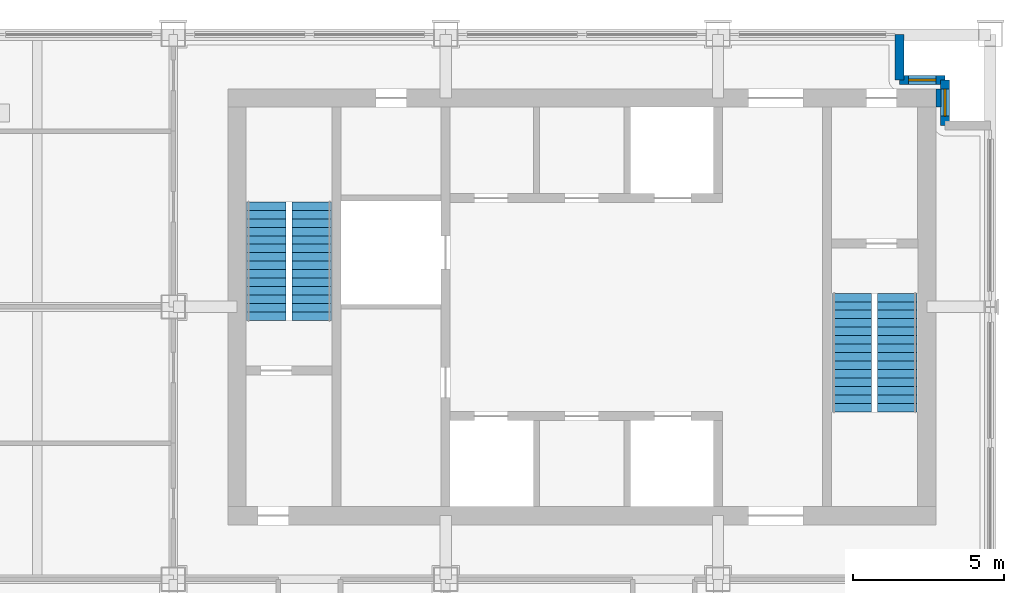
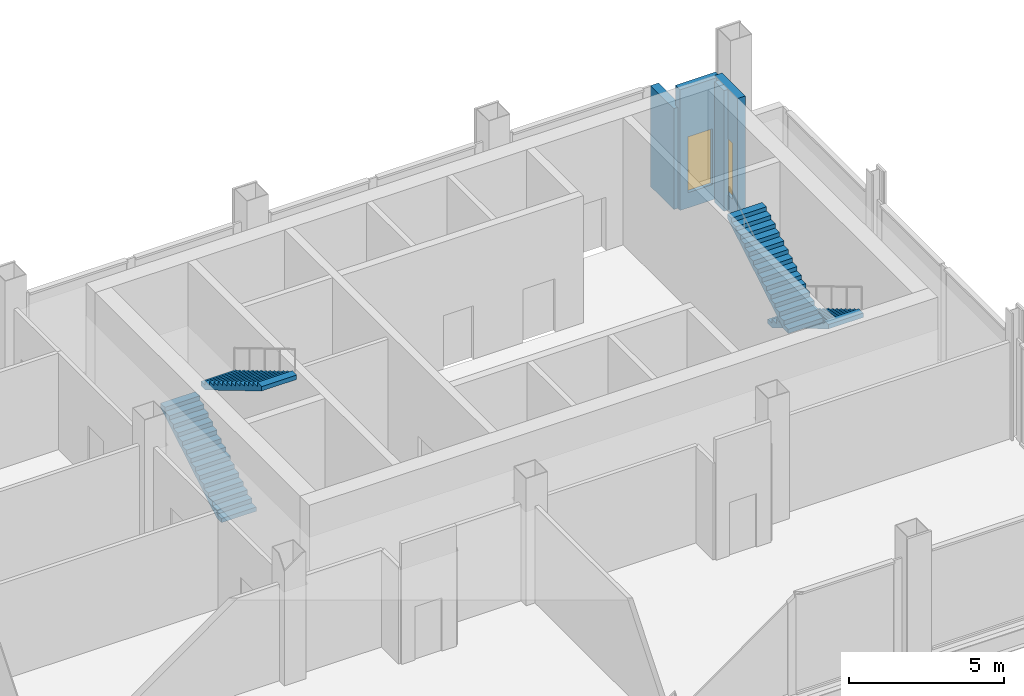
# One storey, part 5 of 7: 4 stair flights, 4 walls, 2 windows, 2 openings, 2 elements without a shape of their own.
"""IFC4 building model written with IfcOpenShell, lengths in metres."""

from ifc_helpers import new_model, si_unit, direction, frame, frame_2d, origin, place, context, subcontext, project, spatial, polyline, rectangle, outline, extrude, material, layer, layer_set, type_object, element, fill, aggregate, save


model = new_model("IFC4")

# Units and contexts
model_context = context("Model", 3, precision=1e-05, world=origin(), true_north=direction((0.0, 1.0)))
body_context = subcontext(model_context, "Body", "Model", "MODEL_VIEW")
ifc_project = project(units=[si_unit("LENGTHUNIT", "METRE"), si_unit("AREAUNIT", "SQUARE_METRE"), si_unit("VOLUMEUNIT", "CUBIC_METRE"), si_unit("PLANEANGLEUNIT", "RADIAN"), si_unit("MASSUNIT", "GRAM", prefix="KILO")], contexts=[model_context])

# Site, building, storey
site_placement = place(None, origin())
site = spatial("IfcSite", under=ifc_project, at=site_placement, CompositionType="ELEMENT")
building_placement = place(site_placement, origin())
building = spatial("IfcBuilding", under=site, at=building_placement, Name="Loomwork Tower", CompositionType="ELEMENT")
storey_placement = place(building_placement, frame((0.0, 0.0, 269.800048828125)))
storey = spatial("IfcBuildingStorey", under=building, at=storey_placement, Name="L74", CompositionType="ELEMENT", Elevation=269.800048828125)

# Wall, opening, window
ifc_material_1 = material(Name="Limestone on concrete masonry", Category="masonry")
ifc_layer_1 = layer(ifc_material_1, 0.300048828125)
ifc_layer_set_1 = layer_set([ifc_layer_1], Name="Limestone corner wall 300")
wall_type_1 = type_object("IfcWallType", Name="Limestone corner wall 300", PredefinedType="SOLIDWALL", material=ifc_layer_set_1)
wall_1_placement = place(storey_placement, frame((34.5, 24.0, 0.0), z_axis=(0.0, 0.0, 1.0), x_axis=(0.0, 1.0, 0.0)))
wall_1 = element("IfcWall", 1, at=wall_1_placement, inside=storey, type_object=wall_type_1, Name="Stone corner wall NE 2", PredefinedType="SOLIDWALL", context=body_context, shape_type="SweptSolid", body=[
    extrude(rectangle(XDim=1.5, YDim=0.300048828125, at=frame_2d((0.75, 0.0))), origin(), (0.0, 0.0, 1.0), 4.75),
])
opening_1_placement = place(wall_1_placement, frame((0.300048828125, 0.0, 0.60009765625)))
opening_1 = element("IfcOpeningElement", 2, at=opening_1_placement, cuts=wall_1, Name="Opening CH2", PredefinedType="OPENING", context=body_context, shape_type="SweptSolid", body=[
    extrude(rectangle(XDim=0.89990234375, YDim=2.199951171875, at=frame_2d((0.449951171875, 1.10009765625))), frame((0.0, 0.159912109375, 0.0), z_axis=(0.0, -1.0, 0.0), x_axis=(1.0, 0.0, 0.0)), (0.0, 0.0, 1.0), 0.320068359375),
])
ifc_material_2 = material(Name="Aluminium frame with clear insulated glass", Category="aluminium")
window_type = type_object("IfcWindowType", Name="Corner window 900", PartitioningType="SINGLE_PANEL", PredefinedType="WINDOW", material=ifc_material_2)
window_1_placement = place(opening_1_placement, origin())
window_1 = element("IfcWindow", 3, at=window_1_placement, inside=storey, type_object=window_type, Name="Corner window NE", OverallHeight=2.199951171875, OverallWidth=0.89990234375, PartitioningType="SINGLE_PANEL", PredefinedType="WINDOW", context=body_context, shape_type="SweptSolid", body=[
    extrude(rectangle(XDim=0.89990234375, YDim=2.199951171875, at=frame_2d((0.449951171875, 1.10009765625))), frame((0.0, 0.030029296875, 0.0), z_axis=(0.0, -1.0, 0.0), x_axis=(1.0, 0.0, 0.0)), (0.0, 0.0, 1.0), 0.06005859375),
])
fill(opening_1, window_1)

wall_2_placement = place(storey_placement, frame((34.5, 25.5, 0.0), z_axis=(0.0, 0.0, 1.0), x_axis=(-1.0, 0.0, 0.0)))
wall_2 = element("IfcWall", 4, at=wall_2_placement, inside=storey, type_object=wall_type_1, Name="Stone corner wall NE 3", PredefinedType="SOLIDWALL", context=body_context, shape_type="SweptSolid", body=[
    extrude(rectangle(XDim=1.5, YDim=0.300048828125, at=frame_2d((0.75, 0.0))), origin(), (0.0, 0.0, 1.0), 4.75),
])
opening_2_placement = place(wall_2_placement, frame((0.300048828125, 0.0, 0.60009765625)))
opening_2 = element("IfcOpeningElement", 5, at=opening_2_placement, cuts=wall_2, Name="Opening CH2", PredefinedType="OPENING", context=body_context, shape_type="SweptSolid", body=[
    extrude(rectangle(XDim=0.89990234375, YDim=2.199951171875, at=frame_2d((0.449951171875, 1.10009765625))), frame((0.0, 0.159912109375, 0.0), z_axis=(0.0, -1.0, 0.0), x_axis=(1.0, 0.0, 0.0)), (0.0, 0.0, 1.0), 0.320068359375),
])
window_2_placement = place(opening_2_placement, origin())
window_2 = element("IfcWindow", 6, at=window_2_placement, inside=storey, type_object=window_type, Name="Corner window NE", OverallHeight=2.199951171875, OverallWidth=0.89990234375, PartitioningType="SINGLE_PANEL", PredefinedType="WINDOW", context=body_context, shape_type="SweptSolid", body=[
    extrude(rectangle(XDim=0.89990234375, YDim=2.199951171875, at=frame_2d((0.449951171875, 1.10009765625))), frame((0.0, 0.030029296875, 0.0), z_axis=(0.0, -1.0, 0.0), x_axis=(1.0, 0.0, 0.0)), (0.0, 0.0, 1.0), 0.06005859375),
])
fill(opening_2, window_2)

# Walls
wall_3_placement = place(storey_placement, frame((33.0, 25.5, 0.0), z_axis=(0.0, 0.0, 1.0), x_axis=(0.0, 1.0, 0.0)))
element("IfcWall", 7, at=wall_3_placement, inside=storey, type_object=wall_type_1, Name="Stone corner wall NE 4", PredefinedType="SOLIDWALL", context=body_context, shape_type="SweptSolid", body=[
    extrude(rectangle(XDim=1.5, YDim=0.300048828125, at=frame_2d((0.75, 0.0))), origin(), (0.0, 0.0, 1.0), 3.969970703125),
])
ifc_material_3 = material(Name="Gypsum board on steel studs, one-hour", Category="steel")
ifc_layer_2 = layer(ifc_material_3, 0.14990234375)
ifc_layer_set_2 = layer_set([ifc_layer_2], Name="Service partition 150")
wall_type_2 = type_object("IfcWallType", Name="Service partition 150", PredefinedType="PARTITIONING", material=ifc_layer_set_2)
wall_4_placement = place(storey_placement, frame((34.199951171875, 24.89990234375, 0.0), z_axis=(0.0, 0.0, 1.0), x_axis=(1.0, 0.0, 0.0)))
element("IfcWall", 8, at=wall_4_placement, inside=storey, type_object=wall_type_2, Name="Core wall infill L74", PredefinedType="PARTITIONING", context=body_context, shape_type="SweptSolid", body=[
    extrude(rectangle(XDim=0.16015625, YDim=0.60009765625, at=frame_2d((0.080078125, 0.0))), origin(), (0.0, 0.0, 1.0), 4.75),
])

# Stair, stair flights
ifc_material_4 = material(Name="Concrete 5000 psi (34 MPa) precast stair", Category="concrete")
stair_type_1 = type_object("IfcStairType", Name="Stair ST-A 30 risers 2850 wide", PredefinedType="HALF_TURN_STAIR", material=ifc_material_4)
stair_1_placement = place(storey_placement, origin())
stair_1 = element("IfcStair", 9, at=stair_1_placement, inside=storey, type_object=stair_type_1, Name="Stair A L74", PredefinedType="HALF_TURN_STAIR")
ifc_material_5 = material(Name="Concrete 5000 psi (34 MPa) precast stair", Category="concrete")
stair_flight_type_1 = type_object("IfcStairFlightType", Name="Stair flight ST-A 15 risers 1300 wide", PredefinedType="STRAIGHT", material=ifc_material_5)
stair_flight_1_placement = place(storey_placement, frame((12.074951171875, 17.550048828125, 0.0), z_axis=(0.0, 0.0, 1.0), x_axis=(0.0, 1.0, 0.0)))
stair_flight_1 = element("IfcStairFlight", 10, at=stair_flight_1_placement, type_object=stair_flight_type_1, Name="ST-A flight 1", NumberOfRisers=15, NumberOfTreads=14, PredefinedType="STRAIGHT", RiserHeight=0.166666667, TreadLength=0.28, context=body_context, shape_type="SweptSolid", body=[
    extrude(outline(polyline([(0.0, 0.0), (0.0, 0.166748046875), (0.280029296875, 0.166748046875), (0.280029296875, 0.333251953125), (0.56005859375, 0.333251953125), (0.56005859375, 0.5), (0.840087890625, 0.5), (0.840087890625, 0.666748046875), (1.1201171875, 0.666748046875), (1.1201171875, 0.833251953125), (1.39990234375, 0.833251953125), (1.39990234375, 1.0), (1.679931640625, 1.0), (1.679931640625, 1.166748046875), (1.9599609375, 1.166748046875), (1.9599609375, 1.333251953125), (2.239990234375, 1.333251953125), (2.239990234375, 1.5), (2.52001953125, 1.5), (2.52001953125, 1.666748046875), (2.800048828125, 1.666748046875), (2.800048828125, 1.833251953125), (3.080078125, 1.833251953125), (3.080078125, 2.0), (3.360107421875, 2.0), (3.360107421875, 2.166748046875), (3.639892578125, 2.166748046875), (3.639892578125, 2.333251953125), (3.919921875, 2.333251953125), (3.919921875, 2.5), (3.919921875, 2.158935546875), (0.29296875, 0.0), (0.0, 0.0)])), frame((0.0, 0.64990234375, 0.0), z_axis=(0.0, -1.0, 0.0), x_axis=(1.0, 0.0, 0.0)), (0.0, 0.0, 1.0), 1.300048828125),
])
stair_flight_2_placement = place(storey_placement, frame((13.574951171875, 21.469970703125, 2.5), z_axis=(0.0, 0.0, 1.0), x_axis=(0.0, -1.0, 0.0)))
stair_flight_2 = element("IfcStairFlight", 11, at=stair_flight_2_placement, type_object=stair_flight_type_1, Name="ST-A flight 2", NumberOfRisers=15, NumberOfTreads=14, PredefinedType="STRAIGHT", RiserHeight=0.166666667, TreadLength=0.28, context=body_context, shape_type="SweptSolid", body=[
    extrude(outline(polyline([(0.0, 0.0), (0.0, 0.166748046875), (0.280029296875, 0.166748046875), (0.280029296875, 0.333251953125), (0.56005859375, 0.333251953125), (0.56005859375, 0.5), (0.840087890625, 0.5), (0.840087890625, 0.666748046875), (1.1201171875, 0.666748046875), (1.1201171875, 0.833251953125), (1.39990234375, 0.833251953125), (1.39990234375, 1.0), (1.679931640625, 1.0), (1.679931640625, 1.166748046875), (1.9599609375, 1.166748046875), (1.9599609375, 1.333251953125), (2.239990234375, 1.333251953125), (2.239990234375, 1.5), (2.52001953125, 1.5), (2.52001953125, 1.666748046875), (2.800048828125, 1.666748046875), (2.800048828125, 1.833251953125), (3.080078125, 1.833251953125), (3.080078125, 2.0), (3.360107421875, 2.0), (3.360107421875, 2.166748046875), (3.639892578125, 2.166748046875), (3.639892578125, 2.333251953125), (3.919921875, 2.333251953125), (3.919921875, 2.5), (3.919921875, 2.158935546875), (0.29296875, 0.0), (0.0, 0.0)])), frame((0.0, 0.64990234375, 0.0), z_axis=(0.0, -1.0, 0.0), x_axis=(1.0, 0.0, 0.0)), (0.0, 0.0, 1.0), 1.300048828125),
])
aggregate(stair_1, [stair_flight_1, stair_flight_2])

ifc_material_6 = material(Name="Concrete 5000 psi (34 MPa) precast stair", Category="concrete")
stair_type_2 = type_object("IfcStairType", Name="Stair ST-B 30 risers 2850 wide", PredefinedType="HALF_TURN_STAIR", material=ifc_material_6)
stair_2_placement = place(storey_placement, origin())
stair_2 = element("IfcStair", 12, at=stair_2_placement, inside=storey, type_object=stair_type_2, Name="Stair B L74", PredefinedType="HALF_TURN_STAIR")
ifc_material_7 = material(Name="Concrete 5000 psi (34 MPa) precast stair", Category="concrete")
stair_flight_type_2 = type_object("IfcStairFlightType", Name="Stair flight ST-B 15 risers 1300 wide", PredefinedType="STRAIGHT", material=ifc_material_7)
stair_flight_3_placement = place(storey_placement, frame((32.925048828125, 18.449951171875, 0.0), z_axis=(0.0, 0.0, 1.0), x_axis=(0.0, -1.0, 0.0)))
stair_flight_3 = element("IfcStairFlight", 13, at=stair_flight_3_placement, type_object=stair_flight_type_2, Name="ST-B flight 1", NumberOfRisers=15, NumberOfTreads=14, PredefinedType="STRAIGHT", RiserHeight=0.166666667, TreadLength=0.28, context=body_context, shape_type="SweptSolid", body=[
    extrude(outline(polyline([(0.0, 0.0), (0.0, 0.166748046875), (0.280029296875, 0.166748046875), (0.280029296875, 0.333251953125), (0.56005859375, 0.333251953125), (0.56005859375, 0.5), (0.840087890625, 0.5), (0.840087890625, 0.666748046875), (1.1201171875, 0.666748046875), (1.1201171875, 0.833251953125), (1.39990234375, 0.833251953125), (1.39990234375, 1.0), (1.679931640625, 1.0), (1.679931640625, 1.166748046875), (1.9599609375, 1.166748046875), (1.9599609375, 1.333251953125), (2.239990234375, 1.333251953125), (2.239990234375, 1.5), (2.52001953125, 1.5), (2.52001953125, 1.666748046875), (2.800048828125, 1.666748046875), (2.800048828125, 1.833251953125), (3.080078125, 1.833251953125), (3.080078125, 2.0), (3.360107421875, 2.0), (3.360107421875, 2.166748046875), (3.639892578125, 2.166748046875), (3.639892578125, 2.333251953125), (3.919921875, 2.333251953125), (3.919921875, 2.5), (3.919921875, 2.158935546875), (0.29296875, 0.0), (0.0, 0.0)])), frame((0.0, 0.64990234375, 0.0), z_axis=(0.0, -1.0, 0.0), x_axis=(1.0, 0.0, 0.0)), (0.0, 0.0, 1.0), 1.300048828125),
])
stair_flight_4_placement = place(storey_placement, frame((31.425048828125, 14.530029296875, 2.5), z_axis=(0.0, 0.0, 1.0), x_axis=(0.0, 1.0, 0.0)))
stair_flight_4 = element("IfcStairFlight", 14, at=stair_flight_4_placement, type_object=stair_flight_type_2, Name="ST-B flight 2", NumberOfRisers=15, NumberOfTreads=14, PredefinedType="STRAIGHT", RiserHeight=0.166666667, TreadLength=0.28, context=body_context, shape_type="SweptSolid", body=[
    extrude(outline(polyline([(0.0, 0.0), (0.0, 0.166748046875), (0.280029296875, 0.166748046875), (0.280029296875, 0.333251953125), (0.56005859375, 0.333251953125), (0.56005859375, 0.5), (0.840087890625, 0.5), (0.840087890625, 0.666748046875), (1.1201171875, 0.666748046875), (1.1201171875, 0.833251953125), (1.39990234375, 0.833251953125), (1.39990234375, 1.0), (1.679931640625, 1.0), (1.679931640625, 1.166748046875), (1.9599609375, 1.166748046875), (1.9599609375, 1.333251953125), (2.239990234375, 1.333251953125), (2.239990234375, 1.5), (2.52001953125, 1.5), (2.52001953125, 1.666748046875), (2.800048828125, 1.666748046875), (2.800048828125, 1.833251953125), (3.080078125, 1.833251953125), (3.080078125, 2.0), (3.360107421875, 2.0), (3.360107421875, 2.166748046875), (3.639892578125, 2.166748046875), (3.639892578125, 2.333251953125), (3.919921875, 2.333251953125), (3.919921875, 2.5), (3.919921875, 2.158935546875), (0.29296875, 0.0), (0.0, 0.0)])), frame((0.0, 0.64990234375, 0.0), z_axis=(0.0, -1.0, 0.0), x_axis=(1.0, 0.0, 0.0)), (0.0, 0.0, 1.0), 1.300048828125),
])
aggregate(stair_2, [stair_flight_3, stair_flight_4])

save(model, "model.ifc")
